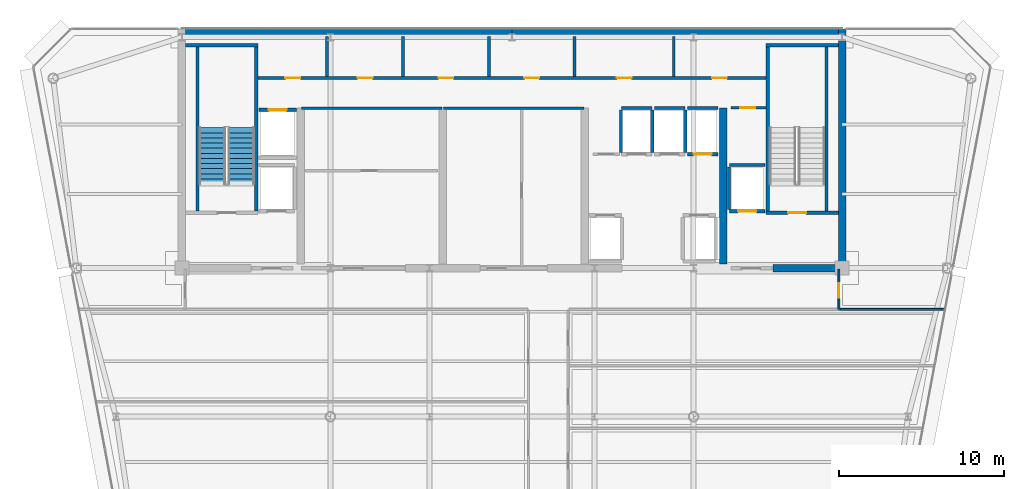
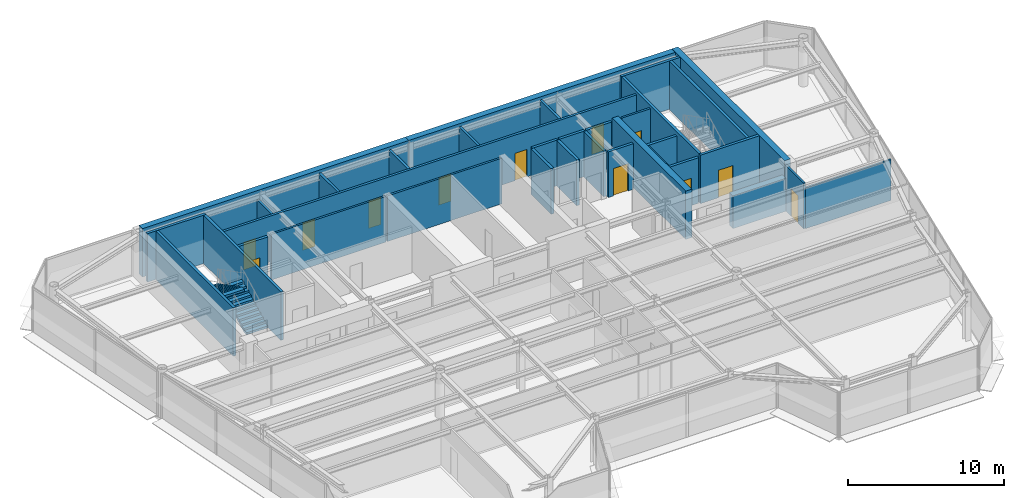
# One storey, part 12 of 20: 34 walls, 12 doors, 2 stair flights, 12 openings, 1 element without a shape of its own.
"""IFC4 building model written with IfcOpenShell, lengths in metres."""

from ifc_helpers import new_model, si_unit, direction, frame, frame_2d, origin, place, context, subcontext, project, spatial, polyline, rectangle, outline, extrude, source, transform, mapped, material, layer, layer_set, type_object, element, fill, aggregate, save


model = new_model("IFC4")

# Units and contexts
model_context = context("Model", 3, precision=1e-05, world=origin(), true_north=direction((0.0, 1.0)))
body_context = subcontext(model_context, "Body", "Model", "MODEL_VIEW")
ifc_project = project(units=[si_unit("LENGTHUNIT", "METRE"), si_unit("AREAUNIT", "SQUARE_METRE"), si_unit("VOLUMEUNIT", "CUBIC_METRE"), si_unit("PLANEANGLEUNIT", "RADIAN"), si_unit("MASSUNIT", "GRAM", prefix="KILO")], contexts=[model_context])

# Site, building, storey
site_placement = place(None, origin())
site = spatial("IfcSite", under=ifc_project, at=site_placement, CompositionType="ELEMENT")
building_placement = place(site_placement, origin())
building = spatial("IfcBuilding", under=site, at=building_placement, Name="Vaeldorn Concourse Tower", CompositionType="ELEMENT")
storey_placement = place(building_placement, frame((0.0, 0.0, 295.39990234375)))
storey = spatial("IfcBuildingStorey", under=building, at=storey_placement, Name="L76", CompositionType="ELEMENT", Elevation=295.39990234375)

# Walls
ifc_material_1 = material(Name="Concrete C50/60", Category="concrete")
ifc_layer_1 = layer(ifc_material_1, 0.449951171875)
ifc_layer_set_1 = layer_set([ifc_layer_1], Name="Concrete C50/60")
wall_type_1 = type_object("IfcWallType", Name="WL-CORE-450", PredefinedType="SHEAR", material=ifc_layer_set_1)
for number, where, z_axis, x_axis, name in (
    (1, (14.22900390625, 50.77490234375, 0.0), (0.0, 0.0, 1.0), (1.0, 0.0, 0.0), "Rear Core Shear Wall L76 N1"),
    (2, (34.001953125, 50.77490234375, 0.0), (0.0, 0.0, 1.0), (1.0, 0.0, 0.0), "Rear Core Shear Wall L76 N2"),
):
    element("IfcWall", number, at=place(storey_placement, frame(where, z_axis=z_axis, x_axis=x_axis)), inside=storey, type_object=wall_type_1, Name=name, PredefinedType="SHEAR", context=body_context, shape_type="SweptSolid", body=[
        extrude(rectangle(XDim=19.76904296875, YDim=0.449951171875, at=frame_2d((9.884521484375, 0.0))), origin(), (0.0, 0.0, 1.0), 3.800048828125),
    ])
wall_1_placement = place(storey_placement, frame((54.0, 36.5, 0.0), z_axis=(0.0, 0.0, 1.0), x_axis=(0.0, 1.0, 0.0)))
element("IfcWall", 3, at=wall_1_placement, inside=storey, type_object=wall_type_1, Name="Rear Core Shear Wall L76 E1", PredefinedType="SHEAR", context=body_context, shape_type="SweptSolid", body=[
    extrude(rectangle(XDim=14.5, YDim=0.449951171875, at=frame_2d((7.25, 0.0))), origin(), (0.0, 0.0, 1.0), 3.800048828125),
])
wall_2_placement = place(storey_placement, frame((49.800048828125, 36.5, 0.0), z_axis=(0.0, 0.0, 1.0), x_axis=(1.0, 0.0, 0.0)))
element("IfcWall", 4, at=wall_2_placement, inside=storey, type_object=wall_type_1, Name="Rear Core Shear Wall L76 S4", PredefinedType="SHEAR", context=body_context, shape_type="SweptSolid", body=[
    extrude(rectangle(XDim=3.954833984375, YDim=0.449951171875, at=frame_2d((1.9775390625, 0.0))), origin(), (0.0, 0.0, 1.0), 2.580078125),
])
wall_3_placement = place(storey_placement, frame((46.800048828125, 36.7451171875, 0.0), z_axis=(0.0, 0.0, 1.0), x_axis=(0.0, 1.0, 0.0)))
element("IfcWall", 5, at=wall_3_placement, inside=storey, type_object=wall_type_1, Name="Rear Core Shear Wall L76 M4", PredefinedType="SHEAR", context=body_context, shape_type="SweptSolid", body=[
    extrude(rectangle(XDim=9.454833984375, YDim=0.449951171875, at=frame_2d((4.7275390625, 0.0))), origin(), (0.0, 0.0, 1.0), 3.800048828125),
])

# Wall, opening, door
ifc_material_2 = material(Name="Gypsum Board Partition", Category="gypsum")
ifc_layer_2 = layer(ifc_material_2, 0.1201171875)
ifc_layer_set_2 = layer_set([ifc_layer_2], Name="Gypsum Board Partition")
wall_type_2 = type_object("IfcWallType", Name="WL-PART-120", PredefinedType="PARTITIONING", material=ifc_layer_set_2)
wall_4_placement = place(storey_placement, frame((53.800048828125, 34.0, 0.0), z_axis=(0.0, 0.0, 1.0), x_axis=(0.0, 1.0, 0.0)))
wall_4 = element("IfcWall", 6, at=wall_4_placement, inside=storey, type_object=wall_type_2, Name="Interior Wall PW-L76-C3E", PredefinedType="PARTITIONING", context=body_context, shape_type="SweptSolid", body=[
    extrude(rectangle(XDim=2.43994140625, YDim=0.1201171875, at=frame_2d((1.219970703125, 0.0))), origin(), (0.0, 0.0, 1.0), 3.580078125),
])
opening_1_placement = place(wall_4_placement, frame((0.699951171875, 0.0, 0.0)))
opening_1 = element("IfcOpeningElement", 7, at=opening_1_placement, cuts=wall_4, Name="Opening D-03", PredefinedType="OPENING", context=body_context, shape_type="SweptSolid", body=[
    extrude(rectangle(XDim=0.89990234375, YDim=2.14990234375, at=frame_2d((0.449951171875, 1.074951171875))), frame((0.0, 0.070068359375, 0.0), z_axis=(0.0, -1.0, 0.0), x_axis=(1.0, 0.0, 0.0)), (0.0, 0.0, 1.0), 0.14013671875),
])
ifc_material_3 = material(Name="Acoustic Bronze-Framed Glass Door", Category="glass")
door_type_1 = type_object("IfcDoorType", Name="DR-INT-900", OperationType="NOTDEFINED", PredefinedType="DOOR", material=ifc_material_3)
shared_shape_1 = source(origin(), body_context, "Body", "SweptSolid", [
    extrude(rectangle(XDim=0.89990234375, YDim=2.14990234375, at=frame_2d((0.449951171875, 1.074951171875))), frame((0.0, 0.02490234375, 0.0), z_axis=(0.0, -1.0, 0.0), x_axis=(1.0, 0.0, 0.0)), (0.0, 0.0, 1.0), 0.050048828125),
])
door_1_placement = place(opening_1_placement, origin())
door_1 = element("IfcDoor", 8, at=door_1_placement, inside=storey, type_object=door_type_1, Name="Interior Door DR-L76-Z3NE", OperationType="SINGLE_SWING_RIGHT", OverallHeight=2.14990234375, OverallWidth=0.89990234375, PredefinedType="DOOR", context=body_context, shape_type="MappedRepresentation", body=[
    mapped(shared_shape_1, transform((0.0, 0.0, 0.0), scale=1.0)),
])
fill(opening_1, door_1)

# Walls
wall_5_placement = place(storey_placement, frame((53.860107421875, 34.0, 0.0), z_axis=(0.0, 0.0, 1.0), x_axis=(1.0, 0.0, 0.0)))
element("IfcWall", 9, at=wall_5_placement, inside=storey, type_object=wall_type_2, Name="Interior Wall PW-L76-Z3NEB", PredefinedType="PARTITIONING", context=body_context, shape_type="SweptSolid", body=[
    extrude(rectangle(XDim=6.34423828125, YDim=0.1201171875, at=frame_2d((3.172119140625, 0.0))), origin(), (0.0, 0.0, 1.0), 3.210205078125),
])
ifc_layer_3 = layer(ifc_material_2, 0.14990234375)
ifc_layer_set_3 = layer_set([ifc_layer_3], Name="Gypsum Board Partition")
wall_type_3 = type_object("IfcWallType", Name="WL-PART-150", PredefinedType="PARTITIONING", material=ifc_layer_set_3)
for number, where, z_axis, x_axis, name in (
    (10, (21.25, 46.199951171875, 0.0), (0.0, 0.0, 1.0), (1.0, 0.0, 0.0), "Interior Wall CW-L76-R1N"),
    (11, (29.85009765625, 46.199951171875, 0.0), (0.0, 0.0, 1.0), (1.0, 0.0, 0.0), "Interior Wall CW-L76-R2N"),
):
    element("IfcWall", number, at=place(storey_placement, frame(where, z_axis=z_axis, x_axis=x_axis)), inside=storey, type_object=wall_type_3, Name=name, PredefinedType="PARTITIONING", context=body_context, shape_type="SweptSolid", body=[
        extrude(rectangle(XDim=8.5, YDim=0.14990234375, at=frame_2d((4.25, 0.0))), origin(), (0.0, 0.0, 1.0), 3.580078125),
    ])

# Wall, opening, door
wall_6_placement = place(storey_placement, frame((47.280029296875, 46.219970703125, 0.0), z_axis=(0.0, 0.0, 1.0), x_axis=(1.0, 0.0, 0.0)))
wall_6 = element("IfcWall", 12, at=wall_6_placement, inside=storey, type_object=wall_type_3, Name="Interior Wall CW-L76-CRSE-N", PredefinedType="PARTITIONING", context=body_context, shape_type="SweptSolid", body=[
    extrude(rectangle(XDim=2.099853515625, YDim=0.14990234375, at=frame_2d((1.0498046875, 0.0))), origin(), (0.0, 0.0, 1.0), 3.580078125),
])
opening_2_placement = place(wall_6_placement, frame((0.550048828125, 0.0, 0.0)))
opening_2 = element("IfcOpeningElement", 13, at=opening_2_placement, cuts=wall_6, Name="Opening D-02", PredefinedType="OPENING", context=body_context, shape_type="SweptSolid", body=[
    extrude(rectangle(XDim=0.89990234375, YDim=2.10009765625, at=frame_2d((0.449951171875, 1.050048828125))), frame((0.0, 0.0849609375, 0.0), z_axis=(0.0, -1.0, 0.0), x_axis=(1.0, 0.0, 0.0)), (0.0, 0.0, 1.0), 0.169921875),
])
ifc_material_4 = material(Name="Fire-Rated Timber Leaf", Category="wood")
door_type_2 = type_object("IfcDoorType", Name="DR-FD30-900", OperationType="NOTDEFINED", PredefinedType="DOOR", material=ifc_material_4)
shared_shape_2 = source(origin(), body_context, "Body", "SweptSolid", [
    extrude(rectangle(XDim=0.89990234375, YDim=2.10009765625, at=frame_2d((0.449951171875, 1.050048828125))), frame((0.0, 0.02490234375, 0.0), z_axis=(0.0, -1.0, 0.0), x_axis=(1.0, 0.0, 0.0)), (0.0, 0.0, 1.0), 0.050048828125),
])
door_2_placement = place(opening_2_placement, origin())
door_2 = element("IfcDoor", 14, at=door_2_placement, inside=storey, type_object=door_type_2, Name="Interior Door DR-L76-CRSE", OperationType="SINGLE_SWING_RIGHT", OverallHeight=2.10009765625, OverallWidth=0.89990234375, PredefinedType="DOOR", context=body_context, shape_type="MappedRepresentation", body=[
    mapped(shared_shape_2, transform((0.0, 0.0, 0.0), scale=1.0)),
])
fill(opening_2, door_2)

# Wall, openings, doors
ifc_layer_4 = layer(ifc_material_2, 0.179931640625)
ifc_layer_set_4 = layer_set([ifc_layer_4], Name="Gypsum Board Partition")
wall_type_4 = type_object("IfcWallType", Name="WL-PLUMB-180", PredefinedType="PLUMBINGWALL", material=ifc_layer_set_4)
wall_7_placement = place(storey_placement, frame((18.6201171875, 48.02001953125, 0.0), z_axis=(0.0, 0.0, 1.0), x_axis=(1.0, 0.0, 0.0)))
wall_7 = element("IfcWall", 15, at=wall_7_placement, inside=storey, type_object=wall_type_4, Name="Interior Wall CW-L76-NS3", PredefinedType="PLUMBINGWALL", context=body_context, shape_type="SweptSolid", body=[
    extrude(rectangle(XDim=30.759765625, YDim=0.179931640625, at=frame_2d((15.3798828125, 0.0))), origin(), (0.0, 0.0, 1.0), 3.580078125),
])
opening_3_placement = place(wall_7_placement, frame((1.655029296875, 0.0, 0.0)))
opening_3 = element("IfcOpeningElement", 16, at=opening_3_placement, cuts=wall_7, Name="Opening D-03", PredefinedType="OPENING", context=body_context, shape_type="SweptSolid", body=[
    extrude(rectangle(XDim=0.89990234375, YDim=2.14990234375, at=frame_2d((0.449951171875, 1.074951171875))), frame((0.0, 0.10009765625, 0.0), z_axis=(0.0, -1.0, 0.0), x_axis=(1.0, 0.0, 0.0)), (0.0, 0.0, 1.0), 0.199951171875),
])
opening_4_placement = place(wall_7_placement, frame((6.030029296875, 0.0, 0.0)))
opening_4 = element("IfcOpeningElement", 17, at=opening_4_placement, cuts=wall_7, Name="Opening D-03", PredefinedType="OPENING", context=body_context, shape_type="SweptSolid", body=[
    extrude(rectangle(XDim=0.89990234375, YDim=2.14990234375, at=frame_2d((0.449951171875, 1.074951171875))), frame((0.0, 0.10009765625, 0.0), z_axis=(0.0, -1.0, 0.0), x_axis=(1.0, 0.0, 0.0)), (0.0, 0.0, 1.0), 0.199951171875),
])
opening_5_placement = place(wall_7_placement, frame((10.929931640625, 0.0, 0.0)))
opening_5 = element("IfcOpeningElement", 18, at=opening_5_placement, cuts=wall_7, Name="Opening D-03", PredefinedType="OPENING", context=body_context, shape_type="SweptSolid", body=[
    extrude(rectangle(XDim=0.89990234375, YDim=2.14990234375, at=frame_2d((0.449951171875, 1.074951171875))), frame((0.0, 0.10009765625, 0.0), z_axis=(0.0, -1.0, 0.0), x_axis=(1.0, 0.0, 0.0)), (0.0, 0.0, 1.0), 0.199951171875),
])
opening_6_placement = place(wall_7_placement, frame((16.1298828125, 0.0, 0.0)))
opening_6 = element("IfcOpeningElement", 19, at=opening_6_placement, cuts=wall_7, Name="Opening D-03", PredefinedType="OPENING", context=body_context, shape_type="SweptSolid", body=[
    extrude(rectangle(XDim=0.89990234375, YDim=2.14990234375, at=frame_2d((0.449951171875, 1.074951171875))), frame((0.0, 0.10009765625, 0.0), z_axis=(0.0, -1.0, 0.0), x_axis=(1.0, 0.0, 0.0)), (0.0, 0.0, 1.0), 0.199951171875),
])
opening_7_placement = place(wall_7_placement, frame((21.72998046875, 0.0, 0.0)))
opening_7 = element("IfcOpeningElement", 20, at=opening_7_placement, cuts=wall_7, Name="Opening D-03", PredefinedType="OPENING", context=body_context, shape_type="SweptSolid", body=[
    extrude(rectangle(XDim=0.89990234375, YDim=2.14990234375, at=frame_2d((0.449951171875, 1.074951171875))), frame((0.0, 0.10009765625, 0.0), z_axis=(0.0, -1.0, 0.0), x_axis=(1.0, 0.0, 0.0)), (0.0, 0.0, 1.0), 0.199951171875),
])
opening_8_placement = place(wall_7_placement, frame((27.5048828125, 0.0, 0.0)))
opening_8 = element("IfcOpeningElement", 21, at=opening_8_placement, cuts=wall_7, Name="Opening D-03", PredefinedType="OPENING", context=body_context, shape_type="SweptSolid", body=[
    extrude(rectangle(XDim=0.89990234375, YDim=2.14990234375, at=frame_2d((0.449951171875, 1.074951171875))), frame((0.0, 0.10009765625, 0.0), z_axis=(0.0, -1.0, 0.0), x_axis=(1.0, 0.0, 0.0)), (0.0, 0.0, 1.0), 0.199951171875),
])
door_3_placement = place(opening_3_placement, origin())
door_3 = element("IfcDoor", 22, at=door_3_placement, inside=storey, type_object=door_type_1, Name="Interior Door DR-L76-CS1", OperationType="SINGLE_SWING_LEFT", OverallHeight=2.14990234375, OverallWidth=0.89990234375, PredefinedType="DOOR", context=body_context, shape_type="MappedRepresentation", body=[
    mapped(shared_shape_1, transform((0.0, 0.0, 0.0), scale=1.0)),
])
fill(opening_3, door_3)
door_4_placement = place(opening_4_placement, origin())
door_4 = element("IfcDoor", 23, at=door_4_placement, inside=storey, type_object=door_type_1, Name="Interior Door DR-L76-CS2", OperationType="SINGLE_SWING_RIGHT", OverallHeight=2.14990234375, OverallWidth=0.89990234375, PredefinedType="DOOR", context=body_context, shape_type="MappedRepresentation", body=[
    mapped(shared_shape_1, transform((0.0, 0.0, 0.0), scale=1.0)),
])
fill(opening_4, door_4)
door_5_placement = place(opening_5_placement, origin())
door_5 = element("IfcDoor", 24, at=door_5_placement, inside=storey, type_object=door_type_1, Name="Interior Door DR-L76-CS3", OperationType="SINGLE_SWING_LEFT", OverallHeight=2.14990234375, OverallWidth=0.89990234375, PredefinedType="DOOR", context=body_context, shape_type="MappedRepresentation", body=[
    mapped(shared_shape_1, transform((0.0, 0.0, 0.0), scale=1.0)),
])
fill(opening_5, door_5)
door_6_placement = place(opening_6_placement, origin())
door_6 = element("IfcDoor", 25, at=door_6_placement, inside=storey, type_object=door_type_1, Name="Interior Door DR-L76-CS4", OperationType="SINGLE_SWING_RIGHT", OverallHeight=2.14990234375, OverallWidth=0.89990234375, PredefinedType="DOOR", context=body_context, shape_type="MappedRepresentation", body=[
    mapped(shared_shape_1, transform((0.0, 0.0, 0.0), scale=1.0)),
])
fill(opening_6, door_6)
door_7_placement = place(opening_7_placement, origin())
door_7 = element("IfcDoor", 26, at=door_7_placement, inside=storey, type_object=door_type_1, Name="Interior Door DR-L76-CS5", OperationType="SINGLE_SWING_LEFT", OverallHeight=2.14990234375, OverallWidth=0.89990234375, PredefinedType="DOOR", context=body_context, shape_type="MappedRepresentation", body=[
    mapped(shared_shape_1, transform((0.0, 0.0, 0.0), scale=1.0)),
])
fill(opening_7, door_7)
door_8_placement = place(opening_8_placement, origin())
door_8 = element("IfcDoor", 27, at=door_8_placement, inside=storey, type_object=door_type_1, Name="Interior Door DR-L76-CS6", OperationType="SINGLE_SWING_RIGHT", OverallHeight=2.14990234375, OverallWidth=0.89990234375, PredefinedType="DOOR", context=body_context, shape_type="MappedRepresentation", body=[
    mapped(shared_shape_1, transform((0.0, 0.0, 0.0), scale=1.0)),
])
fill(opening_8, door_8)

# Walls
wall_8_placement = place(storey_placement, frame((22.800048828125, 48.10009765625, 0.0), z_axis=(0.0, 0.0, 1.0), x_axis=(0.0, 1.0, 0.0)))
element("IfcWall", 28, at=wall_8_placement, inside=storey, type_object=wall_type_4, Name="Interior Wall CW-L76-NDIV1", PredefinedType="PLUMBINGWALL", context=body_context, shape_type="SweptSolid", body=[
    extrude(rectangle(XDim=2.429931640625, YDim=0.179931640625, at=frame_2d((1.21484375, 0.0))), origin(), (0.0, 0.0, 1.0), 3.1201171875),
])
for number, where, z_axis, x_axis, name in (
    (29, (27.39990234375, 48.10009765625, 0.0), (0.0, 0.0, 1.0), (0.0, 1.0, 0.0), "Interior Wall CW-L76-NDIV2"),
    (30, (32.60009765625, 48.10009765625, 0.0), (0.0, 0.0, 1.0), (0.0, 1.0, 0.0), "Interior Wall CW-L76-NDIV3"),
    (31, (37.800048828125, 48.10009765625, 0.0), (0.0, 0.0, 1.0), (0.0, 1.0, 0.0), "Interior Wall CW-L76-NDIV4"),
    (32, (43.800048828125, 48.10009765625, 0.0), (0.0, 0.0, 1.0), (0.0, 1.0, 0.0), "Interior Wall CW-L76-NDIV5"),
):
    element("IfcWall", number, at=place(storey_placement, frame(where, z_axis=z_axis, x_axis=x_axis)), inside=storey, type_object=wall_type_4, Name=name, PredefinedType="PLUMBINGWALL", context=body_context, shape_type="SweptSolid", body=[
        extrude(rectangle(XDim=2.429931640625, YDim=0.179931640625, at=frame_2d((1.21484375, 0.0))), origin(), (0.0, 0.0, 1.0), 3.580078125),
    ])
ifc_layer_5 = layer(ifc_material_1, 0.199951171875)
ifc_layer_set_5 = layer_set([ifc_layer_5], Name="Concrete C50/60")
wall_type_5 = type_object("IfcWallType", Name="WL-SHAFT-200", PredefinedType="SOLIDWALL", material=ifc_layer_set_5)
wall_9_placement = place(storey_placement, frame((14.22509765625, 50.0, 0.0), z_axis=(0.0, 0.0, 1.0), x_axis=(1.0, 0.0, 0.0)))
element("IfcWall", 33, at=wall_9_placement, inside=storey, type_object=wall_type_5, Name="Stair Shaft Wall CW-L76-ST-1-N", PredefinedType="SOLIDWALL", context=body_context, shape_type="SweptSolid", body=[
    extrude(rectangle(XDim=4.375, YDim=0.199951171875, at=frame_2d((2.1875, 0.0))), origin(), (0.0, 0.0, 1.0), 3.800048828125),
])
for number, where, z_axis, x_axis, name in (
    (34, (14.949951171875, 39.9599609375, 0.0), (0.0, 0.0, 1.0), (0.0, 1.0, 0.0), "Stair Shaft Wall CW-L76-ST-1-W"),
    (35, (18.5, 39.9599609375, 0.0), (0.0, 0.0, 1.0), (0.0, 1.0, 0.0), "Stair Shaft Wall CW-L76-ST-1-E"),
):
    element("IfcWall", number, at=place(storey_placement, frame(where, z_axis=z_axis, x_axis=x_axis)), inside=storey, type_object=wall_type_5, Name=name, PredefinedType="SOLIDWALL", context=body_context, shape_type="SweptSolid", body=[
        extrude(rectangle(XDim=9.929931640625, YDim=0.199951171875, at=frame_2d((4.96484375, 0.0))), origin(), (0.0, 0.0, 1.0), 3.800048828125),
    ])

# Wall, opening, door
wall_10_placement = place(storey_placement, frame((49.39990234375, 39.85009765625, 0.0), z_axis=(0.0, 0.0, 1.0), x_axis=(1.0, 0.0, 0.0)))
wall_10 = element("IfcWall", 36, at=wall_10_placement, inside=storey, type_object=wall_type_5, Name="Stair Shaft Wall CW-L76-ST-2-S", PredefinedType="SOLIDWALL", context=body_context, shape_type="SweptSolid", body=[
    extrude(rectangle(XDim=4.375, YDim=0.199951171875, at=frame_2d((2.1875, 0.0))), origin(), (0.0, 0.0, 1.0), 3.800048828125),
])
opening_9_placement = place(wall_10_placement, frame((1.324951171875, 0.0, 0.0)))
opening_9 = element("IfcOpeningElement", 37, at=opening_9_placement, cuts=wall_10, Name="Opening D-01", PredefinedType="OPENING", context=body_context, shape_type="SweptSolid", body=[
    extrude(rectangle(XDim=1.10009765625, YDim=2.14990234375, at=frame_2d((0.550048828125, 1.074951171875))), frame((0.0, 0.10986328125, 0.0), z_axis=(0.0, -1.0, 0.0), x_axis=(1.0, 0.0, 0.0)), (0.0, 0.0, 1.0), 0.219970703125),
])
ifc_material_5 = material(Name="Fire-Rated Timber and Steel Leaf", Category="steel")
door_type_3 = type_object("IfcDoorType", Name="DR-FD60-1100", OperationType="NOTDEFINED", PredefinedType="DOOR", material=ifc_material_5)
shared_shape_3 = source(origin(), body_context, "Body", "SweptSolid", [
    extrude(rectangle(XDim=1.10009765625, YDim=2.14990234375, at=frame_2d((0.550048828125, 1.074951171875))), frame((0.0, 0.02490234375, 0.0), z_axis=(0.0, -1.0, 0.0), x_axis=(1.0, 0.0, 0.0)), (0.0, 0.0, 1.0), 0.050048828125),
])
door_9_placement = place(opening_9_placement, origin())
door_9 = element("IfcDoor", 38, at=door_9_placement, inside=storey, type_object=door_type_3, Name="Interior Door DR-L76-ST-2", OperationType="SINGLE_SWING_RIGHT", OverallHeight=2.14990234375, OverallWidth=1.10009765625, PredefinedType="DOOR", context=body_context, shape_type="MappedRepresentation", body=[
    mapped(shared_shape_3, transform((0.0, 0.0, 0.0), scale=1.0)),
])
fill(opening_9, door_9)

# Walls
wall_11_placement = place(storey_placement, frame((49.39990234375, 50.0, 0.0), z_axis=(0.0, 0.0, 1.0), x_axis=(1.0, 0.0, 0.0)))
element("IfcWall", 39, at=wall_11_placement, inside=storey, type_object=wall_type_5, Name="Stair Shaft Wall CW-L76-ST-2-N", PredefinedType="SOLIDWALL", context=body_context, shape_type="SweptSolid", body=[
    extrude(rectangle(XDim=4.375, YDim=0.199951171875, at=frame_2d((2.1875, 0.0))), origin(), (0.0, 0.0, 1.0), 3.800048828125),
])
for number, where, z_axis, x_axis, name in (
    (40, (49.5, 39.9599609375, 0.0), (0.0, 0.0, 1.0), (0.0, 1.0, 0.0), "Stair Shaft Wall CW-L76-ST-2-W"),
    (41, (53.050048828125, 39.9599609375, 0.0), (0.0, 0.0, 1.0), (0.0, 1.0, 0.0), "Stair Shaft Wall CW-L76-ST-2-E"),
):
    element("IfcWall", number, at=place(storey_placement, frame(where, z_axis=z_axis, x_axis=x_axis)), inside=storey, type_object=wall_type_5, Name=name, PredefinedType="SOLIDWALL", context=body_context, shape_type="SweptSolid", body=[
        extrude(rectangle(XDim=9.929931640625, YDim=0.199951171875, at=frame_2d((4.96484375, 0.0))), origin(), (0.0, 0.0, 1.0), 3.800048828125),
    ])
wall_12_placement = place(storey_placement, frame((40.6201171875, 46.199951171875, 0.0), z_axis=(0.0, 0.0, 1.0), x_axis=(1.0, 0.0, 0.0)))
element("IfcWall", 42, at=wall_12_placement, inside=storey, type_object=wall_type_5, Name="Interior Wall CW-L76-LFB-LF-15", PredefinedType="SOLIDWALL", context=body_context, shape_type="SweptSolid", body=[
    extrude(rectangle(XDim=1.85986328125, YDim=0.199951171875, at=frame_2d((0.929931640625, 0.0))), origin(), (0.0, 0.0, 1.0), 3.580078125),
])
for number, where, z_axis, x_axis, name in (
    (43, (40.60009765625, 43.52001953125, 0.0), (0.0, 0.0, 1.0), (0.0, 1.0, 0.0), "Interior Wall CW-L76-LFW-LF-15"),
    (44, (42.5, 43.52001953125, 0.0), (0.0, 0.0, 1.0), (0.0, 1.0, 0.0), "Interior Wall CW-L76-LFE-LF-15"),
):
    element("IfcWall", number, at=place(storey_placement, frame(where, z_axis=z_axis, x_axis=x_axis)), inside=storey, type_object=wall_type_5, Name=name, PredefinedType="SOLIDWALL", context=body_context, shape_type="SweptSolid", body=[
        extrude(rectangle(XDim=2.56005859375, YDim=0.199951171875, at=frame_2d((1.280029296875, 0.0))), origin(), (0.0, 0.0, 1.0), 3.580078125),
    ])
wall_13_placement = place(storey_placement, frame((42.6201171875, 46.199951171875, 0.0), z_axis=(0.0, 0.0, 1.0), x_axis=(1.0, 0.0, 0.0)))
element("IfcWall", 45, at=wall_13_placement, inside=storey, type_object=wall_type_5, Name="Interior Wall CW-L76-LFB-LF-16", PredefinedType="SOLIDWALL", context=body_context, shape_type="SweptSolid", body=[
    extrude(rectangle(XDim=1.85986328125, YDim=0.199951171875, at=frame_2d((0.929931640625, 0.0))), origin(), (0.0, 0.0, 1.0), 3.580078125),
])
wall_14_placement = place(storey_placement, frame((44.5, 43.52001953125, 0.0), z_axis=(0.0, 0.0, 1.0), x_axis=(0.0, 1.0, 0.0)))
element("IfcWall", 46, at=wall_14_placement, inside=storey, type_object=wall_type_5, Name="Interior Wall CW-L76-LFE-LF-16", PredefinedType="SOLIDWALL", context=body_context, shape_type="SweptSolid", body=[
    extrude(rectangle(XDim=2.56005859375, YDim=0.199951171875, at=frame_2d((1.280029296875, 0.0))), origin(), (0.0, 0.0, 1.0), 3.580078125),
])

# Wall, opening, door
wall_15_placement = place(storey_placement, frame((44.6201171875, 43.39990234375, 0.0), z_axis=(0.0, 0.0, 1.0), x_axis=(1.0, 0.0, 0.0)))
wall_15 = element("IfcWall", 47, at=wall_15_placement, inside=storey, type_object=wall_type_5, Name="Interior Wall CW-L76-LF-LF-17", PredefinedType="SOLIDWALL", context=body_context, shape_type="SweptSolid", body=[
    extrude(rectangle(XDim=1.85986328125, YDim=0.199951171875, at=frame_2d((0.929931640625, 0.0))), origin(), (0.0, 0.0, 1.0), 3.580078125),
])
opening_10_placement = place(wall_15_placement, frame((0.3798828125, 0.0, 0.0)))
opening_10 = element("IfcOpeningElement", 48, at=opening_10_placement, cuts=wall_15, Name="Opening LD-1", PredefinedType="OPENING", context=body_context, shape_type="SweptSolid", body=[
    extrude(rectangle(XDim=1.10009765625, YDim=2.14990234375, at=frame_2d((0.550048828125, 1.074951171875))), frame((0.0, 0.10986328125, 0.0), z_axis=(0.0, -1.0, 0.0), x_axis=(1.0, 0.0, 0.0)), (0.0, 0.0, 1.0), 0.219970703125),
])
ifc_material_6 = material(Name="Anodised Bronze Aluminium", Category="aluminium")
door_type_4 = type_object("IfcDoorType", Name="DR-LIFT-SLIDE-1100", OperationType="DOUBLE_DOOR_SLIDING", PredefinedType="DOOR", material=ifc_material_6)
door_10_placement = place(opening_10_placement, origin())
door_10 = element("IfcDoor", 49, at=door_10_placement, inside=storey, type_object=door_type_4, Name="Lift Landing Door LD-L76-LF-17", OperationType="DOUBLE_DOOR_SLIDING", OverallHeight=2.14990234375, OverallWidth=1.10009765625, PredefinedType="DOOR", context=body_context, shape_type="MappedRepresentation", body=[
    mapped(shared_shape_3, transform((0.0, 0.0, 0.0), scale=1.0)),
])
fill(opening_10, door_10)

# Wall
wall_16_placement = place(storey_placement, frame((44.6201171875, 46.199951171875, 0.0), z_axis=(0.0, 0.0, 1.0), x_axis=(1.0, 0.0, 0.0)))
element("IfcWall", 50, at=wall_16_placement, inside=storey, type_object=wall_type_5, Name="Interior Wall CW-L76-LFB-LF-17", PredefinedType="SOLIDWALL", context=body_context, shape_type="SweptSolid", body=[
    extrude(rectangle(XDim=1.85986328125, YDim=0.199951171875, at=frame_2d((0.929931640625, 0.0))), origin(), (0.0, 0.0, 1.0), 3.580078125),
])

# Wall, opening, door
wall_17_placement = place(storey_placement, frame((18.669921875, 46.10009765625, 0.0), z_axis=(0.0, 0.0, 1.0), x_axis=(1.0, 0.0, 0.0)))
wall_17 = element("IfcWall", 51, at=wall_17_placement, inside=storey, type_object=wall_type_5, Name="Interior Wall CW-L76-LF-LF-SV1", PredefinedType="SOLIDWALL", context=body_context, shape_type="SweptSolid", body=[
    extrude(rectangle(XDim=2.260009765625, YDim=0.199951171875, at=frame_2d((1.1298828125, 0.0))), origin(), (0.0, 0.0, 1.0), 3.580078125),
])
opening_11_placement = place(wall_17_placement, frame((0.580078125, 0.0, 0.0)))
opening_11 = element("IfcOpeningElement", 52, at=opening_11_placement, cuts=wall_17, Name="Opening LD-1", PredefinedType="OPENING", context=body_context, shape_type="SweptSolid", body=[
    extrude(rectangle(XDim=1.10009765625, YDim=2.14990234375, at=frame_2d((0.550048828125, 1.074951171875))), frame((0.0, 0.10986328125, 0.0), z_axis=(0.0, -1.0, 0.0), x_axis=(1.0, 0.0, 0.0)), (0.0, 0.0, 1.0), 0.219970703125),
])
door_11_placement = place(opening_11_placement, origin())
door_11 = element("IfcDoor", 53, at=door_11_placement, inside=storey, type_object=door_type_4, Name="Lift Landing Door LD-L76-LF-SV1", OperationType="DOUBLE_DOOR_SLIDING", OverallHeight=2.14990234375, OverallWidth=1.10009765625, PredefinedType="DOOR", context=body_context, shape_type="MappedRepresentation", body=[
    mapped(shared_shape_3, transform((0.0, 0.0, 0.0), scale=1.0)),
])
fill(opening_11, door_11)

wall_18_placement = place(storey_placement, frame((47.169921875, 39.949951171875, 0.0), z_axis=(0.0, 0.0, 1.0), x_axis=(1.0, 0.0, 0.0)))
wall_18 = element("IfcWall", 54, at=wall_18_placement, inside=storey, type_object=wall_type_5, Name="Interior Wall CW-L76-LF-LF-FF2", PredefinedType="SOLIDWALL", context=body_context, shape_type="SweptSolid", body=[
    extrude(rectangle(XDim=2.16015625, YDim=0.199951171875, at=frame_2d((1.080078125, 0.0))), origin(), (0.0, 0.0, 1.0), 3.580078125),
])
opening_12_placement = place(wall_18_placement, frame((0.530029296875, 0.0, 0.0)))
opening_12 = element("IfcOpeningElement", 55, at=opening_12_placement, cuts=wall_18, Name="Opening LD-1", PredefinedType="OPENING", context=body_context, shape_type="SweptSolid", body=[
    extrude(rectangle(XDim=1.10009765625, YDim=2.14990234375, at=frame_2d((0.550048828125, 1.074951171875))), frame((0.0, 0.10986328125, 0.0), z_axis=(0.0, -1.0, 0.0), x_axis=(1.0, 0.0, 0.0)), (0.0, 0.0, 1.0), 0.219970703125),
])
door_12_placement = place(opening_12_placement, origin())
door_12 = element("IfcDoor", 56, at=door_12_placement, inside=storey, type_object=door_type_4, Name="Lift Landing Door LD-L76-LF-FF2", OperationType="DOUBLE_DOOR_SLIDING", OverallHeight=2.14990234375, OverallWidth=1.10009765625, PredefinedType="DOOR", context=body_context, shape_type="MappedRepresentation", body=[
    mapped(shared_shape_3, transform((0.0, 0.0, 0.0), scale=1.0)),
])
fill(opening_12, door_12)

# Walls
wall_19_placement = place(storey_placement, frame((47.169921875, 42.75, 0.0), z_axis=(0.0, 0.0, 1.0), x_axis=(1.0, 0.0, 0.0)))
element("IfcWall", 57, at=wall_19_placement, inside=storey, type_object=wall_type_5, Name="Interior Wall CW-L76-LFB-LF-FF2", PredefinedType="SOLIDWALL", context=body_context, shape_type="SweptSolid", body=[
    extrude(rectangle(XDim=2.16015625, YDim=0.199951171875, at=frame_2d((1.080078125, 0.0))), origin(), (0.0, 0.0, 1.0), 3.580078125),
])
wall_20_placement = place(storey_placement, frame((47.14990234375, 40.070068359375, 0.0), z_axis=(0.0, 0.0, 1.0), x_axis=(0.0, 1.0, 0.0)))
element("IfcWall", 58, at=wall_20_placement, inside=storey, type_object=wall_type_5, Name="Interior Wall CW-L76-LFW-LF-FF2", PredefinedType="SOLIDWALL", context=body_context, shape_type="SweptSolid", body=[
    extrude(rectangle(XDim=2.559814453125, YDim=0.199951171875, at=frame_2d((1.27978515625, 0.0))), origin(), (0.0, 0.0, 1.0), 3.580078125),
])

# Stair, stair flights
ifc_material_7 = material(Name="Precast concrete C40/50", Category="concrete")
stair_type = type_object("IfcStairType", Name="STR-DOG-24x158", PredefinedType="HALF_TURN_STAIR", material=ifc_material_7)
stair_placement = place(storey_placement, origin())
stair = element("IfcStair", 59, at=stair_placement, inside=storey, type_object=stair_type, Name="L76 West Core Exit Stair ST-1", PredefinedType="HALF_TURN_STAIR")
stair_flight_type = type_object("IfcStairFlightType", Name="STF-STR-12x158", PredefinedType="STRAIGHT", material=ifc_material_7)
stair_flight_1_placement = place(storey_placement, frame((17.60009765625, 41.60009765625, 0.0), z_axis=(0.0, 0.0, 1.0), x_axis=(0.0, 1.0, 0.0)))
stair_flight_1 = element("IfcStairFlight", 60, at=stair_flight_1_placement, type_object=stair_flight_type, Name="ST-1 flight 1", NumberOfRisers=12, NumberOfTreads=11, PredefinedType="STRAIGHT", RiserHeight=0.158333333, TreadLength=0.31, context=body_context, shape_type="SweptSolid", body=[
    extrude(outline(polyline([(0.0, 0.0), (0.0, 0.158447265625), (0.31005859375, 0.158447265625), (0.31005859375, 0.316650390625), (0.6201171875, 0.316650390625), (0.6201171875, 0.47509765625), (0.929931640625, 0.47509765625), (0.929931640625, 0.63330078125), (1.239990234375, 0.63330078125), (1.239990234375, 0.791748046875), (1.550048828125, 0.791748046875), (1.550048828125, 0.949951171875), (1.860107421875, 0.949951171875), (1.860107421875, 1.1083984375), (2.169921875, 1.1083984375), (2.169921875, 1.2666015625), (2.47998046875, 1.2666015625), (2.47998046875, 1.425048828125), (2.7900390625, 1.425048828125), (2.7900390625, 1.583251953125), (3.10009765625, 1.583251953125), (3.10009765625, 1.74169921875), (3.409912109375, 1.74169921875), (3.409912109375, 1.89990234375), (3.409912109375, 1.5732421875), (0.32958984375, 0.0), (0.0, 0.0)])), frame((0.0, 0.800048828125, 0.0), z_axis=(0.0, -1.0, 0.0), x_axis=(1.0, 0.0, 0.0)), (0.0, 0.0, 1.0), 1.60009765625),
])
stair_flight_2_placement = place(storey_placement, frame((15.85009765625, 45.010009765625, 1.900146484375), z_axis=(0.0, 0.0, 1.0), x_axis=(0.0, -1.0, 0.0)))
stair_flight_2 = element("IfcStairFlight", 61, at=stair_flight_2_placement, type_object=stair_flight_type, Name="ST-1 flight 2", NumberOfRisers=12, NumberOfTreads=11, PredefinedType="STRAIGHT", RiserHeight=0.158333333, TreadLength=0.31, context=body_context, shape_type="SweptSolid", body=[
    extrude(outline(polyline([(0.0, 0.0), (0.0, 0.158447265625), (0.31005859375, 0.158447265625), (0.31005859375, 0.316650390625), (0.6201171875, 0.316650390625), (0.6201171875, 0.47509765625), (0.929931640625, 0.47509765625), (0.929931640625, 0.63330078125), (1.239990234375, 0.63330078125), (1.239990234375, 0.791748046875), (1.550048828125, 0.791748046875), (1.550048828125, 0.949951171875), (1.860107421875, 0.949951171875), (1.860107421875, 1.1083984375), (2.169921875, 1.1083984375), (2.169921875, 1.2666015625), (2.47998046875, 1.2666015625), (2.47998046875, 1.425048828125), (2.7900390625, 1.425048828125), (2.7900390625, 1.583251953125), (3.10009765625, 1.583251953125), (3.10009765625, 1.74169921875), (3.409912109375, 1.74169921875), (3.409912109375, 1.89990234375), (3.409912109375, 1.5732421875), (0.32958984375, 0.0), (0.0, 0.0)])), frame((0.0, 0.800048828125, 0.0), z_axis=(0.0, -1.0, 0.0), x_axis=(1.0, 0.0, 0.0)), (0.0, 0.0, 1.0), 1.60009765625),
])
aggregate(stair, [stair_flight_1, stair_flight_2])

save(model, "model.ifc")
